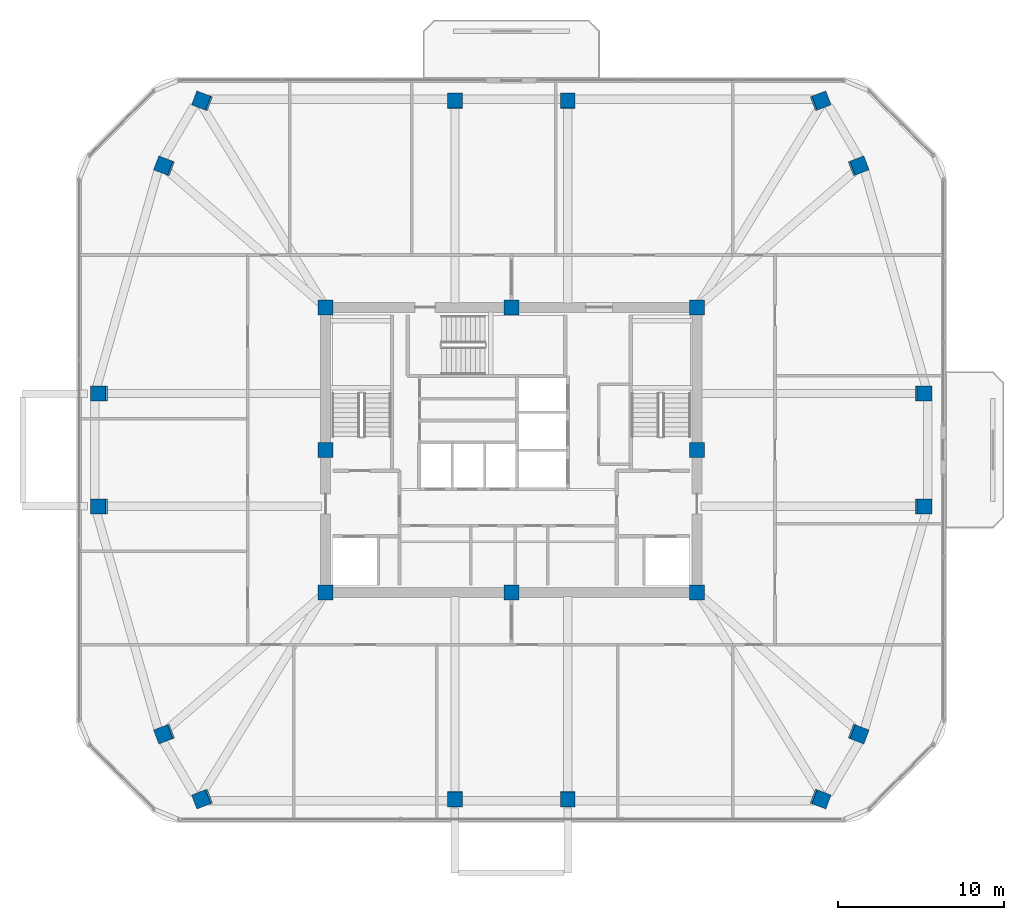
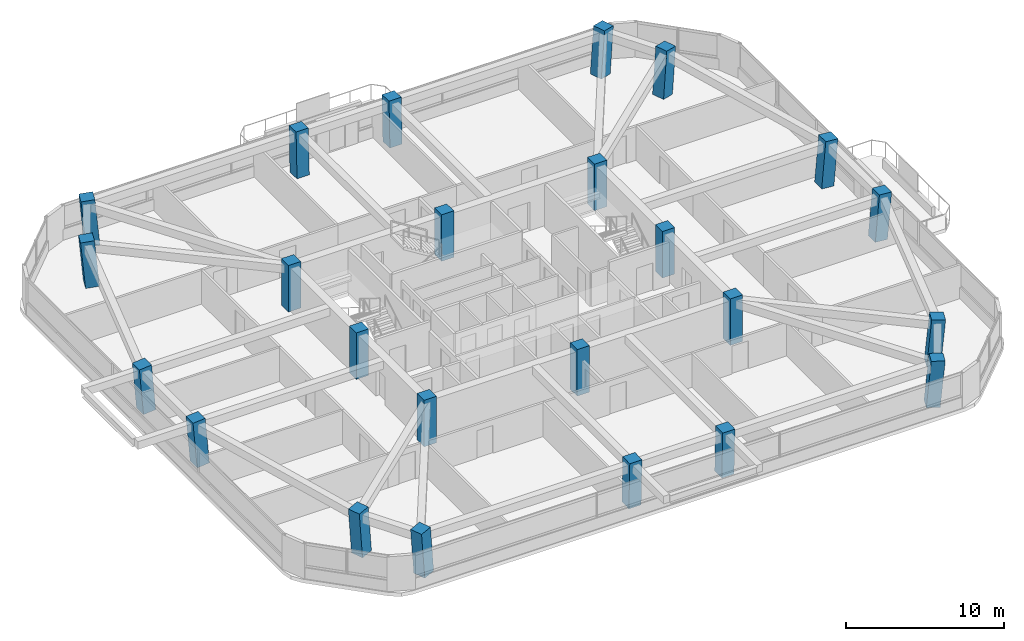
# One storey, part 1 of 14: 24 columns.
"""IFC4 building model written with IfcOpenShell, lengths in metres."""

from ifc_helpers import new_model, si_unit, derived_unit, direction, frame, origin, origin_2d, place, context, subcontext, project, spatial, rectangle, extrude, material, material_profile, profile_set, type_object, element, save


model = new_model("IFC4")

# Units and contexts
model_context = context("Model", 3, precision=1e-05, world=origin(), true_north=direction((0.0, 1.0)))
body_context = subcontext(model_context, "Body", "Model", "MODEL_VIEW")
ifc_project = project(units=[si_unit("LENGTHUNIT", "METRE"), si_unit("AREAUNIT", "SQUARE_METRE"), si_unit("VOLUMEUNIT", "CUBIC_METRE"), si_unit("PLANEANGLEUNIT", "RADIAN"), si_unit("MASSUNIT", "GRAM", prefix="KILO"), derived_unit("THERMALTRANSMITTANCEUNIT", [(si_unit("POWERUNIT", "WATT"), 1), (si_unit("LENGTHUNIT", "METRE"), -2), (si_unit("THERMODYNAMICTEMPERATUREUNIT", "KELVIN"), -1)])], contexts=[model_context])

# Site, building, storey
site_placement = place(None, origin())
site = spatial("IfcSite", under=ifc_project, at=site_placement, CompositionType="ELEMENT")
building_placement = place(site_placement, origin())
building = spatial("IfcBuilding", under=site, at=building_placement, Name="Koralith Skygarden Medical Center", CompositionType="ELEMENT")
storey_placement = place(building_placement, frame((0.0, 0.0, 210.780029296875)))
storey = spatial("IfcBuildingStorey", under=building, at=storey_placement, Name="L54", CompositionType="ELEMENT", Elevation=210.780029296875)

# Columns
ifc_material = material(Name="Concrete C55/67", Category="concrete")
ifc_material_profile_1 = material_profile(ifc_material, rectangle(XDim=0.89990234375, YDim=0.89990234375, at=origin_2d()), Name="RC900X900")
ifc_profile_set_1 = profile_set([ifc_material_profile_1], Name="Concrete C55/67")
column_type_1 = type_object("IfcColumnType", Name="Core Column C55 RC900", PredefinedType="COLUMN", material=ifc_profile_set_1)
for number, where, z_axis, x_axis, name in (
    (1, (25.800048828125, 17.300048828125, 0.0), (0.0, 0.0, 1.0), (1.0, 0.0, 0.0), "L54 Core Column CC-01"),
    (2, (37.0, 17.300048828125, 0.0), (0.0, 0.0, 1.0), (1.0, 0.0, 0.0), "L54 Core Column CC-02"),
    (3, (48.199951171875, 17.300048828125, 0.0), (0.0, 0.0, 1.0), (1.0, 0.0, 0.0), "L54 Core Column CC-03"),
    (4, (48.199951171875, 25.89990234375, 0.0), (0.0, 0.0, 1.0), (1.0, 0.0, 0.0), "L54 Core Column CC-04"),
    (5, (48.199951171875, 34.5, 0.0), (0.0, 0.0, 1.0), (1.0, 0.0, 0.0), "L54 Core Column CC-05"),
    (6, (37.0, 34.5, 0.0), (0.0, 0.0, 1.0), (1.0, 0.0, 0.0), "L54 Core Column CC-06"),
    (7, (25.800048828125, 34.5, 0.0), (0.0, 0.0, 1.0), (1.0, 0.0, 0.0), "L54 Core Column CC-07"),
    (8, (25.800048828125, 25.89990234375, 0.0), (0.0, 0.0, 1.0), (1.0, 0.0, 0.0), "L54 Core Column CC-08"),
):
    element("IfcColumn", number, at=place(storey_placement, frame(where, z_axis=z_axis, x_axis=x_axis)), inside=storey, type_object=column_type_1, Name=name, PredefinedType="COLUMN", context=body_context, shape_type="SweptSolid", body=[
        extrude(rectangle(XDim=0.89990234375, YDim=0.89990234375, at=origin_2d()), origin(), (0.0, 0.0, 1.0), 3.599853515625),
    ])
ifc_material_profile_2 = material_profile(ifc_material, rectangle(XDim=0.89990234375, YDim=0.89990234375, at=origin_2d()), Name="RC900X900")
ifc_profile_set_2 = profile_set([ifc_material_profile_2], Name="Concrete C55/67")
column_type_2 = type_object("IfcColumnType", Name="Zone 4 Flare Mega-Column C55 RC900", PredefinedType="COLUMN", material=ifc_profile_set_2)
column_1_placement = place(storey_placement, frame((12.18505859375, 22.5, 0.02099609375), z_axis=(-0.084578849141, 0.0, 0.99641678944), x_axis=(0.0, -1.0, 0.0)))
element("IfcColumn", 9, at=column_1_placement, inside=storey, type_object=column_type_2, Name="L54 Perimeter Mega-Column MC-01", PredefinedType="COLUMN", context=body_context, shape_type="SweptSolid", body=[
    extrude(rectangle(XDim=0.89990234375, YDim=0.89990234375, at=origin_2d()), origin(), (0.0, 0.0, 1.0), 3.570556640625),
])
for number, where, z_axis, x_axis, name in (
    (10, (16.10498046875, 8.787109375, 0.02099609375), (-0.084535024327, -0.032187547662, 0.995900492739), (0.355838239402, -0.93454756293, 0.0), "L54 Perimeter Mega-Column MC-02"),
    (11, (18.39697265625, 4.866943359375, 0.02099609375), (-0.084535024327, -0.032187547662, 0.995900492739), (0.355838239402, -0.93454756293, 0.0), "L54 Perimeter Mega-Column MC-03"),
):
    element("IfcColumn", number, at=place(storey_placement, frame(where, z_axis=z_axis, x_axis=x_axis)), inside=storey, type_object=column_type_2, Name=name, PredefinedType="COLUMN", context=body_context, shape_type="SweptSolid", body=[
        extrude(rectangle(XDim=0.89990234375, YDim=0.89990234375, at=origin_2d()), origin(), (0.0, 0.0, 1.0), 3.572509765625),
    ])
for number, where, z_axis, x_axis, name in (
    (12, (33.60009765625, 4.866943359375, 0.02099609375), (0.0, -0.03230317661, 0.999478116209), (1.0, 0.0, 0.0), "L54 Perimeter Mega-Column MC-04"),
    (13, (40.39990234375, 4.866943359375, 0.02099609375), (0.0, -0.03230317661, 0.999478116209), (1.0, 0.0, 0.0), "L54 Perimeter Mega-Column MC-05"),
):
    element("IfcColumn", number, at=place(storey_placement, frame(where, z_axis=z_axis, x_axis=x_axis)), inside=storey, type_object=column_type_2, Name=name, PredefinedType="COLUMN", context=body_context, shape_type="SweptSolid", body=[
        extrude(rectangle(XDim=0.89990234375, YDim=0.89990234375, at=origin_2d()), origin(), (0.0, 0.0, 1.0), 3.559814453125),
    ])
for number, where, z_axis, x_axis, name in (
    (14, (55.60302734375, 4.866943359375, 0.02099609375), (0.084535024327, -0.032187547662, 0.995900492739), (0.355838239402, 0.93454756293, 0.0), "L54 Perimeter Mega-Column MC-06"),
    (15, (57.89501953125, 8.787109375, 0.02099609375), (0.084535024327, -0.032187547662, 0.995900492739), (0.355838239402, 0.93454756293, 0.0), "L54 Perimeter Mega-Column MC-07"),
):
    element("IfcColumn", number, at=place(storey_placement, frame(where, z_axis=z_axis, x_axis=x_axis)), inside=storey, type_object=column_type_2, Name=name, PredefinedType="COLUMN", context=body_context, shape_type="SweptSolid", body=[
        extrude(rectangle(XDim=0.89990234375, YDim=0.89990234375, at=origin_2d()), origin(), (0.0, 0.0, 1.0), 3.572509765625),
    ])
for number, where, z_axis, x_axis, name in (
    (16, (61.81494140625, 22.5, 0.02099609375), (0.084578849141, 0.0, 0.99641678944), (0.0, 1.0, 0.0), "L54 Perimeter Mega-Column MC-08"),
    (17, (61.81494140625, 29.300048828125, 0.02099609375), (0.084578849141, 0.0, 0.99641678944), (0.0, 1.0, 0.0), "L54 Perimeter Mega-Column MC-09"),
):
    element("IfcColumn", number, at=place(storey_placement, frame(where, z_axis=z_axis, x_axis=x_axis)), inside=storey, type_object=column_type_2, Name=name, PredefinedType="COLUMN", context=body_context, shape_type="SweptSolid", body=[
        extrude(rectangle(XDim=0.89990234375, YDim=0.89990234375, at=origin_2d()), origin(), (0.0, 0.0, 1.0), 3.570556640625),
    ])
for number, where, z_axis, x_axis, name in (
    (18, (57.89501953125, 43.012939453125, 0.02099609375), (0.084535024327, 0.032187547662, 0.995900492739), (-0.355838239402, 0.93454756293, 0.0), "L54 Perimeter Mega-Column MC-10"),
    (19, (55.60302734375, 46.93310546875, 0.02099609375), (0.084535024327, 0.032187547662, 0.995900492739), (-0.355838239402, 0.93454756293, 0.0), "L54 Perimeter Mega-Column MC-11"),
):
    element("IfcColumn", number, at=place(storey_placement, frame(where, z_axis=z_axis, x_axis=x_axis)), inside=storey, type_object=column_type_2, Name=name, PredefinedType="COLUMN", context=body_context, shape_type="SweptSolid", body=[
        extrude(rectangle(XDim=0.89990234375, YDim=0.89990234375, at=origin_2d()), origin(), (0.0, 0.0, 1.0), 3.572509765625),
    ])
for number, where, z_axis, x_axis, name in (
    (20, (40.39990234375, 46.93310546875, 0.02099609375), (0.0, 0.03230317661, 0.999478116209), (-1.0, 0.0, 0.0), "L54 Perimeter Mega-Column MC-12"),
    (21, (33.60009765625, 46.93310546875, 0.02099609375), (0.0, 0.03230317661, 0.999478116209), (-1.0, 0.0, 0.0), "L54 Perimeter Mega-Column MC-13"),
):
    element("IfcColumn", number, at=place(storey_placement, frame(where, z_axis=z_axis, x_axis=x_axis)), inside=storey, type_object=column_type_2, Name=name, PredefinedType="COLUMN", context=body_context, shape_type="SweptSolid", body=[
        extrude(rectangle(XDim=0.89990234375, YDim=0.89990234375, at=origin_2d()), origin(), (0.0, 0.0, 1.0), 3.559814453125),
    ])
for number, where, z_axis, x_axis, name in (
    (22, (18.39697265625, 46.93310546875, 0.02099609375), (-0.084535024327, 0.032187547662, 0.995900492739), (-0.355838239402, -0.93454756293, 0.0), "L54 Perimeter Mega-Column MC-14"),
    (23, (16.10498046875, 43.012939453125, 0.02099609375), (-0.084535024327, 0.032187547662, 0.995900492739), (-0.355838239402, -0.93454756293, 0.0), "L54 Perimeter Mega-Column MC-15"),
):
    element("IfcColumn", number, at=place(storey_placement, frame(where, z_axis=z_axis, x_axis=x_axis)), inside=storey, type_object=column_type_2, Name=name, PredefinedType="COLUMN", context=body_context, shape_type="SweptSolid", body=[
        extrude(rectangle(XDim=0.89990234375, YDim=0.89990234375, at=origin_2d()), origin(), (0.0, 0.0, 1.0), 3.572509765625),
    ])
column_2_placement = place(storey_placement, frame((12.18505859375, 29.300048828125, 0.02099609375), z_axis=(-0.084578849141, 0.0, 0.99641678944), x_axis=(0.0, -1.0, 0.0)))
element("IfcColumn", 24, at=column_2_placement, inside=storey, type_object=column_type_2, Name="L54 Perimeter Mega-Column MC-16", PredefinedType="COLUMN", context=body_context, shape_type="SweptSolid", body=[
    extrude(rectangle(XDim=0.89990234375, YDim=0.89990234375, at=origin_2d()), origin(), (0.0, 0.0, 1.0), 3.570556640625),
])

save(model, "model.ifc")
